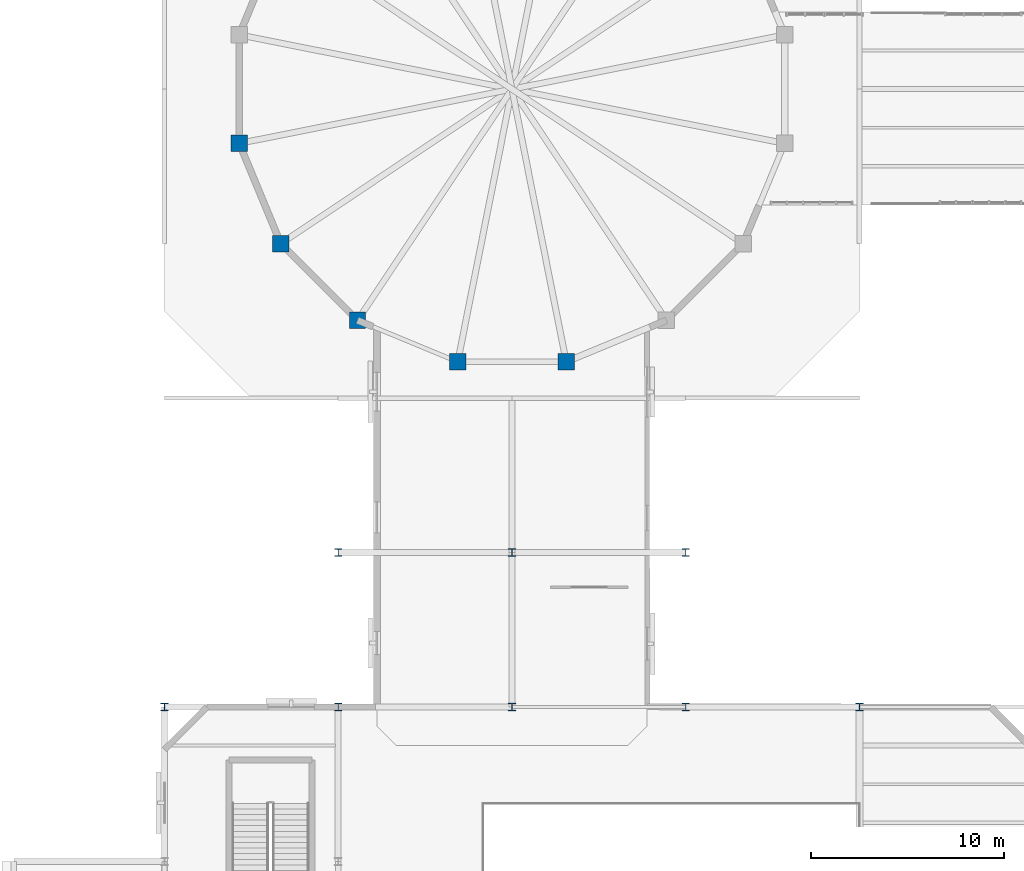
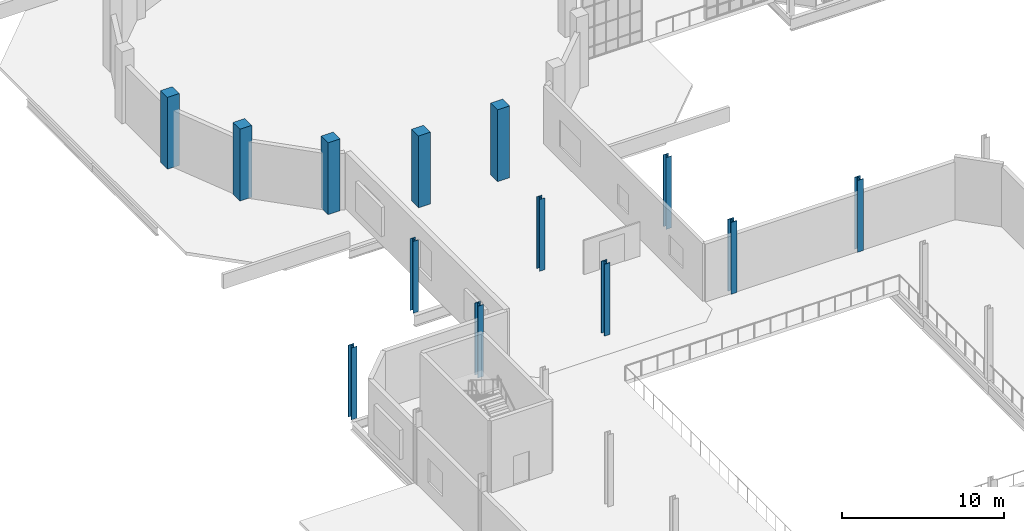
# One storey, part 3 of 142: 13 columns.
"""IFC4 building model written with IfcOpenShell, lengths in metres."""

from ifc_helpers import new_model, si_unit, direction, frame, origin, origin_2d, place, context, subcontext, project, spatial, rectangle, i_section, extrude, material, material_profile, profile_set, type_object, element, save


model = new_model("IFC4")

# Units and contexts
model_context = context("Model", 3, precision=1e-05, world=origin(), true_north=direction((0.0, 1.0)))
body_context = subcontext(model_context, "Body", "Model", "MODEL_VIEW")
ifc_project = project(units=[si_unit("LENGTHUNIT", "METRE"), si_unit("AREAUNIT", "SQUARE_METRE"), si_unit("VOLUMEUNIT", "CUBIC_METRE"), si_unit("PLANEANGLEUNIT", "RADIAN"), si_unit("MASSUNIT", "GRAM", prefix="KILO"), si_unit("THERMODYNAMICTEMPERATUREUNIT", "KELVIN"), si_unit("POWERUNIT", "WATT")], contexts=[model_context])

# Site, building, storey
site_placement = place(None, origin())
site = spatial("IfcSite", under=ifc_project, at=site_placement, CompositionType="ELEMENT")
building_placement = place(site_placement, origin())
building = spatial("IfcBuilding", under=site, at=building_placement, Name="Zelmaris Science Centre", CompositionType="ELEMENT")
storey_placement = place(building_placement, frame((0.0, 0.0, 5.39990234375)))
storey = spatial("IfcBuildingStorey", under=building, at=storey_placement, Name="L01", CompositionType="ELEMENT", Elevation=5.39990234375)

# Columns
ifc_material_1 = material(Name="Steel ASTM A992 Grade 50", Category="steel")
ifc_material_profile_1 = material_profile(ifc_material_1, i_section(OverallWidth=0.406005859375, OverallDepth=0.4169921875, WebThickness=0.02978515625, FlangeThickness=0.04443359375, FilletRadius=0.014892578125, at=origin_2d()), Name="W14X257")
ifc_profile_set_1 = profile_set([ifc_material_profile_1], Name="Steel ASTM A992 Grade 50")
column_type_1 = type_object("IfcColumnType", Name="Column C-02 W14X257", PredefinedType="COLUMN", material=ifc_profile_set_1)
for number, where, z_axis, x_axis, name in (
    (1, (18.0, 40.0, 0.0), (0.0, 0.0, 1.0), (1.0, 0.0, 0.0), "Column V3-P-18-40 L01"),
    (2, (27.0, 40.0, 0.0), (0.0, 0.0, 1.0), (1.0, 0.0, 0.0), "Column V3-P-27-40 L01"),
    (3, (36.0, 40.0, 0.0), (0.0, 0.0, 1.0), (1.0, 0.0, 0.0), "Column V3-P-36-40 L01"),
    (4, (45.0, 40.0, 0.0), (0.0, 0.0, 1.0), (1.0, 0.0, 0.0), "Column V3-P-45-40 L01"),
):
    element("IfcColumn", number, at=place(storey_placement, frame(where, z_axis=z_axis, x_axis=x_axis)), inside=storey, type_object=column_type_1, Name=name, PredefinedType="COLUMN", context=body_context, shape_type="SweptSolid", body=[
        extrude(i_section(OverallWidth=0.406005859375, OverallDepth=0.4169921875, WebThickness=0.02978515625, FlangeThickness=0.04443359375, FilletRadius=0.014892578125, at=origin_2d()), origin(), (0.0, 0.0, 1.0), 5.400146484375),
    ])
ifc_material_profile_2 = material_profile(ifc_material_1, i_section(OverallWidth=0.39892578125, OverallDepth=0.385986328125, WebThickness=0.02099609375, FlangeThickness=0.033203125, FilletRadius=0.014892578125, at=origin_2d()), Name="W14X176")
ifc_profile_set_2 = profile_set([ifc_material_profile_2], Name="Steel ASTM A992 Grade 50")
column_type_2 = type_object("IfcColumnType", Name="Column C-04 W14X176", PredefinedType="COLUMN", material=ifc_profile_set_2)
column_placement = place(storey_placement, frame((9.0, 40.0, 0.0), z_axis=(0.0, 0.0, 1.0), x_axis=(1.0, 0.0, 0.0)))
element("IfcColumn", 5, at=column_placement, inside=storey, type_object=column_type_2, Name="Column V3-P-9-40 L01", PredefinedType="COLUMN", context=body_context, shape_type="SweptSolid", body=[
    extrude(i_section(OverallWidth=0.39892578125, OverallDepth=0.385986328125, WebThickness=0.02099609375, FlangeThickness=0.033203125, FilletRadius=0.014892578125, at=origin_2d()), origin(), (0.0, 0.0, 1.0), 5.400146484375),
])
ifc_material_profile_3 = material_profile(ifc_material_1, i_section(OverallWidth=0.373046875, OverallDepth=0.367919921875, WebThickness=0.014892578125, FlangeThickness=0.02392578125, FilletRadius=0.014892578125, at=origin_2d()), Name="W14X120")
ifc_profile_set_3 = profile_set([ifc_material_profile_3], Name="Steel ASTM A992 Grade 50")
column_type_3 = type_object("IfcColumnType", Name="Column C-06 W14X120", PredefinedType="COLUMN", material=ifc_profile_set_3)
for number, where, z_axis, x_axis, name in (
    (6, (18.0, 48.0, 0.0), (0.0, 0.0, 1.0), (1.0, 0.0, 0.0), "Column WL-C-18-48 L01"),
    (7, (27.0, 48.0, 0.0), (0.0, 0.0, 1.0), (1.0, 0.0, 0.0), "Column WL-C-27-48 L01"),
    (8, (36.0, 48.0, 0.0), (0.0, 0.0, 1.0), (1.0, 0.0, 0.0), "Column WL-C-36-48 L01"),
):
    element("IfcColumn", number, at=place(storey_placement, frame(where, z_axis=z_axis, x_axis=x_axis)), inside=storey, type_object=column_type_3, Name=name, PredefinedType="COLUMN", context=body_context, shape_type="SweptSolid", body=[
        extrude(i_section(OverallWidth=0.373046875, OverallDepth=0.367919921875, WebThickness=0.014892578125, FlangeThickness=0.02392578125, FilletRadius=0.014892578125, at=origin_2d()), origin(), (0.0, 0.0, 1.0), 5.400146484375),
    ])
ifc_material_2 = material(Name="Concrete C40/50", Category="concrete")
ifc_material_profile_4 = material_profile(ifc_material_2, rectangle(XDim=0.85009765625, YDim=0.85009765625, at=origin_2d()), Name="RC-COL-850X850")
ifc_profile_set_4 = profile_set([ifc_material_profile_4], Name="Concrete C40/50")
column_type_4 = type_object("IfcColumnType", Name="Column C-14 RC-COL-850X850", PredefinedType="COLUMN", material=ifc_profile_set_4)
for number, where, z_axis, x_axis, name in (
    (9, (12.876708984375, 69.190673828125, 0.0), (0.0, 0.0, 1.0), (1.0, 0.0, 0.0), "Column V1-DC09 L01"),
    (10, (15.02685546875, 63.999755859375, 0.0), (0.0, 0.0, 1.0), (1.0, 0.0, 0.0), "Column V1-DC10 L01"),
    (11, (18.999755859375, 60.02685546875, 0.0), (0.0, 0.0, 1.0), (1.0, 0.0, 0.0), "Column V1-DC11 L01"),
    (12, (24.190673828125, 57.876708984375, 0.0), (0.0, 0.0, 1.0), (1.0, 0.0, 0.0), "Column V1-DC12 L01"),
    (13, (29.809326171875, 57.876708984375, 0.0), (0.0, 0.0, 1.0), (1.0, 0.0, 0.0), "Column V1-DC13 L01"),
):
    element("IfcColumn", number, at=place(storey_placement, frame(where, z_axis=z_axis, x_axis=x_axis)), inside=storey, type_object=column_type_4, Name=name, PredefinedType="COLUMN", context=body_context, shape_type="SweptSolid", body=[
        extrude(rectangle(XDim=0.85009765625, YDim=0.85009765625, at=origin_2d()), origin(), (0.0, 0.0, 1.0), 5.400146484375),
    ])

save(model, "model.ifc")
